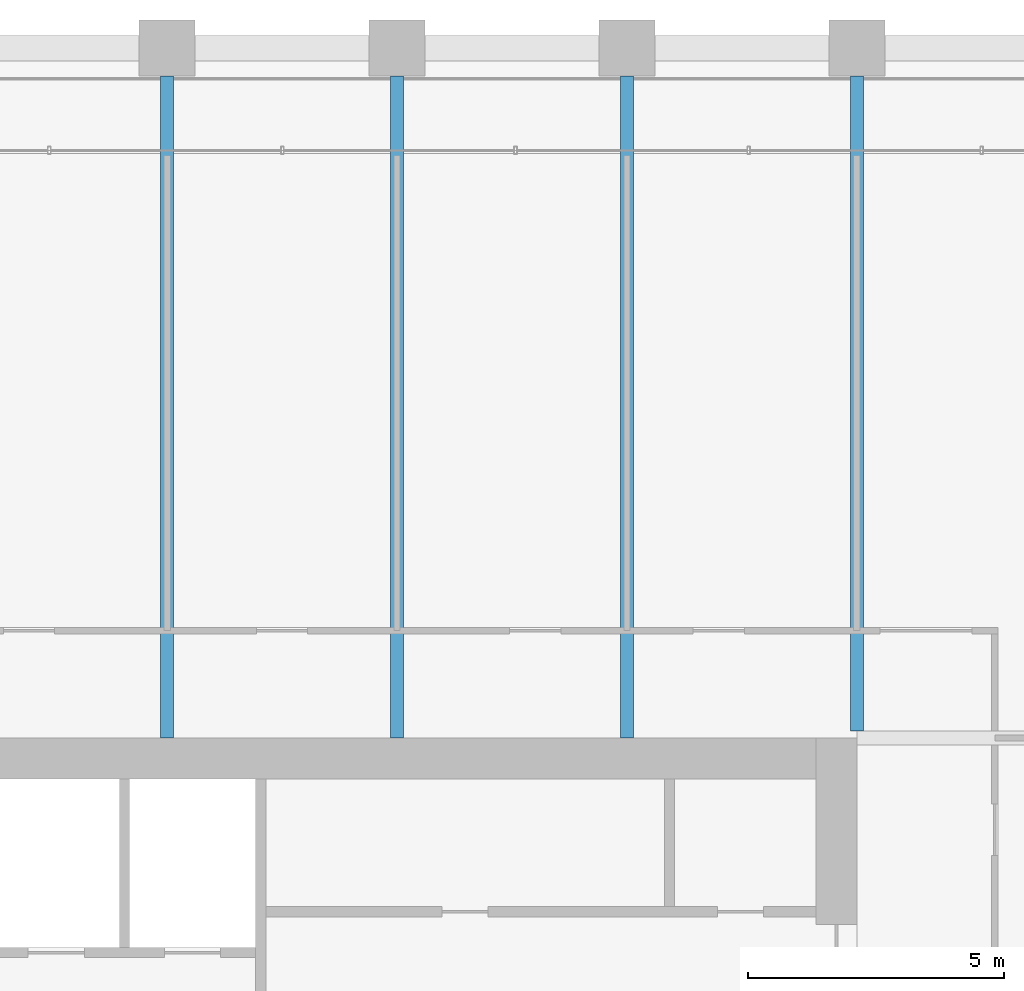
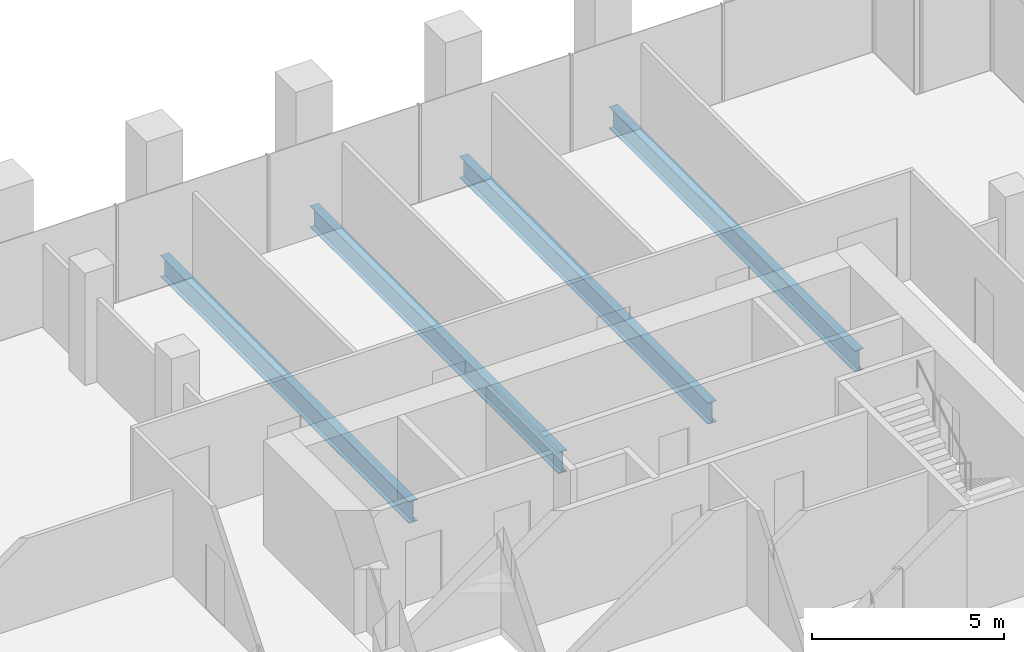
# One storey, part 28 of 56: 4 beams.
"""IFC4 building model written with IfcOpenShell, lengths in metres."""

from ifc_helpers import new_model, si_unit, direction, frame, origin, origin_2d, place, context, subcontext, project, spatial, i_section, extrude, material, material_profile, profile_set, type_object, element, save


model = new_model("IFC4")

# Units and contexts
model_context = context("Model", 3, precision=1e-05, world=origin(), true_north=direction((0.0, 1.0)))
body_context = subcontext(model_context, "Body", "Model", "MODEL_VIEW")
ifc_project = project(units=[si_unit("LENGTHUNIT", "METRE"), si_unit("AREAUNIT", "SQUARE_METRE"), si_unit("VOLUMEUNIT", "CUBIC_METRE"), si_unit("PLANEANGLEUNIT", "RADIAN"), si_unit("MASSUNIT", "GRAM", prefix="KILO")], contexts=[model_context])

# Site, building, storey
site_placement = place(None, origin())
site = spatial("IfcSite", under=ifc_project, at=site_placement, CompositionType="ELEMENT")
building_placement = place(site_placement, origin())
building = spatial("IfcBuilding", under=site, at=building_placement, Name="Altepetl Exchange Towers", CompositionType="ELEMENT")
storey_placement = place(building_placement, frame((0.0, 0.0, 54.60009765625)))
storey = spatial("IfcBuildingStorey", under=building, at=storey_placement, Name="L12", CompositionType="ELEMENT", Elevation=54.60009765625)

# Beams
ifc_material = material(Name="Steel S355", Category="steel")
ifc_material_profile = material_profile(ifc_material, i_section(OverallWidth=0.25390625, OverallDepth=0.68408203125, WebThickness=0.012451171875, FlangeThickness=0.018798828125, at=origin_2d()), Name="W27X94")
ifc_profile_set = profile_set([ifc_material_profile], Name="Steel S355")
beam_type = type_object("IfcBeamType", Name="Floor beam W27X94", PredefinedType="BEAM", material=ifc_profile_set)
for number, where, z_axis, x_axis, name in (
    (1, (45.0, 58.5, -0.4921875), (0.0, 1.0, 0.0), (-1.0, 0.0, 0.0), "bm:A:L12:000"),
    (2, (49.5, 58.5, -0.4921875), (0.0, 1.0, 0.0), (-1.0, 0.0, 0.0), "bm:A:L12:001"),
    (3, (54.0, 58.5, -0.4921875), (0.0, 1.0, 0.0), (-1.0, 0.0, 0.0), "bm:A:L12:002"),
):
    element("IfcBeam", number, at=place(storey_placement, frame(where, z_axis=z_axis, x_axis=x_axis)), inside=storey, type_object=beam_type, Name=name, PredefinedType="BEAM", context=body_context, shape_type="SweptSolid", body=[
        extrude(i_section(OverallWidth=0.25390625, OverallDepth=0.68408203125, WebThickness=0.012451171875, FlangeThickness=0.018798828125, at=origin_2d()), origin(), (0.0, 0.0, 1.0), 12.949951171875),
    ])
beam_placement = place(storey_placement, frame((58.5, 58.634033203125, -0.4921875), z_axis=(0.0, 1.0, 0.0), x_axis=(-1.0, 0.0, 0.0)))
element("IfcBeam", 4, at=beam_placement, inside=storey, type_object=beam_type, Name="bm:A:L12:003", PredefinedType="BEAM", context=body_context, shape_type="SweptSolid", body=[
    extrude(i_section(OverallWidth=0.25390625, OverallDepth=0.68408203125, WebThickness=0.012451171875, FlangeThickness=0.018798828125, at=origin_2d()), origin(), (0.0, 0.0, 1.0), 12.81591796875),
])

save(model, "model.ifc")
